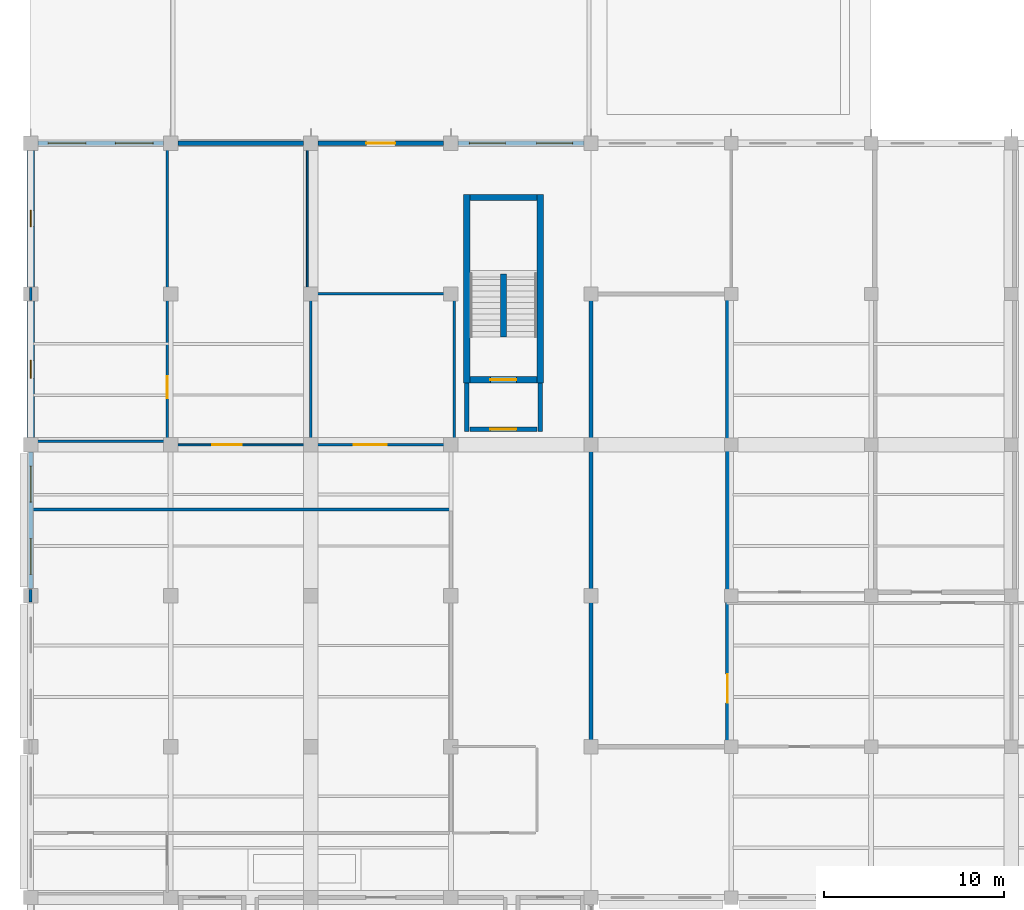
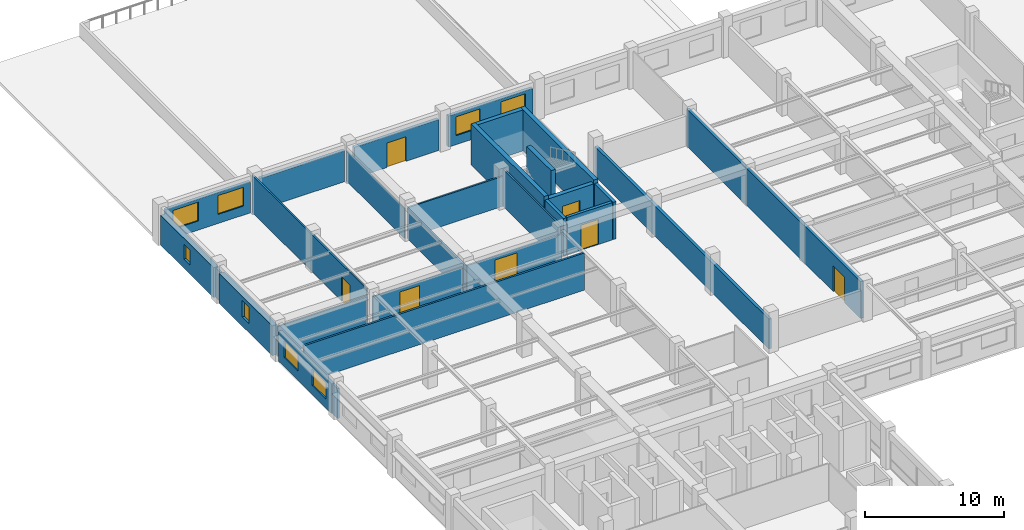
# One storey, part 43 of 50: 28 walls, 8 windows, 7 doors, 15 openings.
"""IFC4 building model written with IfcOpenShell, lengths in metres."""

from ifc_helpers import new_model, si_unit, direction, frame, frame_2d, origin, place, context, subcontext, project, spatial, rectangle, extrude, material, layer, layer_set, type_object, element, fill, save


model = new_model("IFC4")

# Units and contexts
model_context = context("Model", 3, precision=1e-05, world=origin(), true_north=direction((0.0, 1.0)))
body_context = subcontext(model_context, "Body", "Model", "MODEL_VIEW")
ifc_project = project(units=[si_unit("LENGTHUNIT", "METRE"), si_unit("AREAUNIT", "SQUARE_METRE"), si_unit("VOLUMEUNIT", "CUBIC_METRE"), si_unit("PLANEANGLEUNIT", "RADIAN"), si_unit("MASSUNIT", "GRAM", prefix="KILO"), si_unit("THERMODYNAMICTEMPERATUREUNIT", "KELVIN"), si_unit("POWERUNIT", "WATT")], contexts=[model_context])

# Site, building, storey
site_placement = place(None, origin())
site = spatial("IfcSite", under=ifc_project, at=site_placement, CompositionType="ELEMENT")
building_placement = place(site_placement, origin())
building = spatial("IfcBuilding", under=site, at=building_placement, Name="Srebrne Nadtorze General Hospital", CompositionType="ELEMENT")
storey_placement = place(building_placement, frame((0.0, 0.0, 14.39990234375)))
storey = spatial("IfcBuildingStorey", under=building, at=storey_placement, Name="L03", CompositionType="ELEMENT", Elevation=14.39990234375)

# Wall, opening, window
ifc_material_1 = material(Name="Concrete C40/50", Category="concrete")
ifc_layer_1 = layer(ifc_material_1, 0.419921875)
ifc_layer_set_1 = layer_set([ifc_layer_1], Name="Concrete C40/50")
wall_type_1 = type_object("IfcWallType", Name="Acoustic buffer wall 420", PredefinedType="SOLIDWALL", material=ifc_layer_set_1)
wall_1_placement = place(storey_placement, frame((23.39990234375, 76.0, 0.0), z_axis=(0.0, 0.0, 1.0), x_axis=(0.0, 1.0, 0.0)))
wall_1 = element("IfcWall", 1, at=wall_1_placement, inside=storey, type_object=wall_type_1, Name="Exterior wall WL-ENV-L03-0323", PredefinedType="SOLIDWALL", context=body_context, shape_type="SweptSolid", body=[
    extrude(rectangle(XDim=7.60009765625, YDim=0.419921875, at=frame_2d((3.800048828125, 0.0))), origin(), (0.0, 0.0, 1.0), 2.6201171875),
])
opening_1_placement = place(wall_1_placement, frame((3.300048828125, 0.0, 0.800048828125)))
opening_1 = element("IfcOpeningElement", 2, at=opening_1_placement, cuts=wall_1, Name="Opening WN-L03-0463", PredefinedType="OPENING", context=body_context, shape_type="SweptSolid", body=[
    extrude(rectangle(XDim=1.0, YDim=1.449951171875, at=frame_2d((0.5, 0.72509765625))), frame((0.0, 0.221923828125, 0.0), z_axis=(0.0, -1.0, 0.0), x_axis=(1.0, 0.0, 0.0)), (0.0, 0.0, 1.0), 0.44384765625),
])
ifc_material_2 = material(Name="Triple Low-E Glazing", Category="glass")
window_type_1 = type_object("IfcWindowType", Name="Punched clinical window 1000x1450", PartitioningType="SINGLE_PANEL", PredefinedType="WINDOW", material=ifc_material_2)
window_1_placement = place(opening_1_placement, origin())
window_1 = element("IfcWindow", 3, at=window_1_placement, inside=storey, type_object=window_type_1, Name="Clinical window WN-L03-0463", OverallHeight=1.449951171875, OverallWidth=1.0, PartitioningType="SINGLE_PANEL", PredefinedType="WINDOW", context=body_context, shape_type="SweptSolid", body=[
    extrude(rectangle(XDim=1.0, YDim=1.449951171875, at=frame_2d((0.5, 0.72509765625))), frame((0.0, 0.030029296875, 0.0), z_axis=(0.0, -1.0, 0.0), x_axis=(1.0, 0.0, 0.0)), (0.0, 0.0, 1.0), 0.06005859375),
])
fill(opening_1, window_1)

wall_2_placement = place(storey_placement, frame((23.39990234375, 84.39990234375, 0.0), z_axis=(0.0, 0.0, 1.0), x_axis=(0.0, 1.0, 0.0)))
wall_2 = element("IfcWall", 4, at=wall_2_placement, inside=storey, type_object=wall_type_1, Name="Exterior wall WL-ENV-L03-0324", PredefinedType="SOLIDWALL", context=body_context, shape_type="SweptSolid", body=[
    extrude(rectangle(XDim=7.60009765625, YDim=0.419921875, at=frame_2d((3.800048828125, 0.0))), origin(), (0.0, 0.0, 1.0), 2.6201171875),
])
opening_2_placement = place(wall_2_placement, frame((3.35009765625, 0.0, 0.800048828125)))
opening_2 = element("IfcOpeningElement", 5, at=opening_2_placement, cuts=wall_2, Name="Opening WN-L03-0464", PredefinedType="OPENING", context=body_context, shape_type="SweptSolid", body=[
    extrude(rectangle(XDim=0.89990234375, YDim=1.300048828125, at=frame_2d((0.449951171875, 0.64990234375))), frame((0.0, 0.221923828125, 0.0), z_axis=(0.0, -1.0, 0.0), x_axis=(1.0, 0.0, 0.0)), (0.0, 0.0, 1.0), 0.44384765625),
])
ifc_material_3 = material(Name="Triple Low-E Glazing", Category="glass")
window_type_2 = type_object("IfcWindowType", Name="Punched clinical window 900x1300", PartitioningType="SINGLE_PANEL", PredefinedType="WINDOW", material=ifc_material_3)
window_2_placement = place(opening_2_placement, origin())
window_2 = element("IfcWindow", 6, at=window_2_placement, inside=storey, type_object=window_type_2, Name="Clinical window WN-L03-0464", OverallHeight=1.300048828125, OverallWidth=0.89990234375, PartitioningType="SINGLE_PANEL", PredefinedType="WINDOW", context=body_context, shape_type="SweptSolid", body=[
    extrude(rectangle(XDim=0.89990234375, YDim=1.300048828125, at=frame_2d((0.449951171875, 0.64990234375))), frame((0.0, 0.030029296875, 0.0), z_axis=(0.0, -1.0, 0.0), x_axis=(1.0, 0.0, 0.0)), (0.0, 0.0, 1.0), 0.06005859375),
])
fill(opening_2, window_2)

# Wall, opening, door
ifc_material_4 = material(Name="Gypsum Healthcare Partition")
ifc_layer_2 = layer(ifc_material_4, 0.139892578125)
ifc_layer_set_2 = layer_set([ifc_layer_2], Name="Gypsum Healthcare Partition")
wall_type_2 = type_object("IfcWallType", Name="Clinical partition 140", PredefinedType="PARTITIONING", material=ifc_layer_set_2)
wall_3_placement = place(storey_placement, frame((39.0849609375, 75.60009765625, 0.0), z_axis=(0.0, 0.0, 1.0), x_axis=(1.0, 0.0, 0.0)))
wall_3 = element("IfcWall", 7, at=wall_3_placement, inside=storey, type_object=wall_type_2, Name="Clinical Staff Lounge wall WL-INT-L03-1604", PredefinedType="PARTITIONING", context=body_context, shape_type="SweptSolid", body=[
    extrude(rectangle(XDim=7.804931640625, YDim=0.139892578125, at=frame_2d((3.90234375, 0.0))), origin(), (0.0, 0.0, 1.0), 2.6201171875),
])
opening_3_placement = place(wall_3_placement, frame((2.295654296875, 0.0, 0.0)))
opening_3 = element("IfcOpeningElement", 8, at=opening_3_placement, cuts=wall_3, Name="Opening D-L03-0265", PredefinedType="OPENING", context=body_context, shape_type="SweptSolid", body=[
    extrude(rectangle(XDim=1.85009765625, YDim=2.300048828125, at=frame_2d((0.925048828125, 1.14990234375))), frame((0.0, 0.08203125, 0.0), z_axis=(0.0, -1.0, 0.0), x_axis=(1.0, 0.0, 0.0)), (0.0, 0.0, 1.0), 0.163818359375),
])
ifc_material_5 = material(Name="Anodised Aluminium", Category="aluminium")
door_type_1 = type_object("IfcDoorType", Name="Double leaf door 1850x2300", OperationType="DOUBLE_DOOR_SINGLE_SWING", PredefinedType="DOOR", material=ifc_material_5)
door_1_placement = place(opening_3_placement, origin())
door_1 = element("IfcDoor", 9, at=door_1_placement, inside=storey, type_object=door_type_1, Name="Clinical Staff Lounge door D-L03-0265", OperationType="DOUBLE_DOOR_SINGLE_SWING", OverallHeight=2.300048828125, OverallWidth=1.85009765625, PredefinedType="DOOR", context=body_context, shape_type="SweptSolid", body=[
    extrude(rectangle(XDim=1.85009765625, YDim=2.300048828125, at=frame_2d((0.925048828125, 1.14990234375))), frame((0.0, 0.02490234375, 0.0), z_axis=(0.0, -1.0, 0.0), x_axis=(1.0, 0.0, 0.0)), (0.0, 0.0, 1.0), 0.050048828125),
])
fill(opening_3, door_1)

# Walls
wall_4_placement = place(storey_placement, frame((39.0849609375, 84.0, 0.0), z_axis=(0.0, 0.0, 1.0), x_axis=(1.0, 0.0, 0.0)))
element("IfcWall", 10, at=wall_4_placement, inside=storey, type_object=wall_type_2, Name="Clinical Staff Lounge wall WL-INT-L03-1605", PredefinedType="PARTITIONING", context=body_context, shape_type="SweptSolid", body=[
    extrude(rectangle(XDim=7.804931640625, YDim=0.139892578125, at=frame_2d((3.90234375, 0.0))), origin(), (0.0, 0.0, 1.0), 2.6201171875),
])
wall_5_placement = place(storey_placement, frame((39.0, 75.68505859375, 0.0), z_axis=(0.0, 0.0, 1.0), x_axis=(0.0, 1.0, 0.0)))
element("IfcWall", 11, at=wall_5_placement, inside=storey, type_object=wall_type_2, Name="Clinical Staff Lounge wall WL-INT-L03-1606", PredefinedType="PARTITIONING", context=body_context, shape_type="SweptSolid", body=[
    extrude(rectangle(XDim=8.22998046875, YDim=0.139892578125, at=frame_2d((4.114990234375, 0.0))), origin(), (0.0, 0.0, 1.0), 2.6201171875),
])
wall_6_placement = place(storey_placement, frame((46.97509765625, 75.68505859375, 0.0), z_axis=(0.0, 0.0, 1.0), x_axis=(0.0, 1.0, 0.0)))
element("IfcWall", 12, at=wall_6_placement, inside=storey, type_object=wall_type_2, Name="Clinical Staff Lounge wall WL-INT-L03-1607", PredefinedType="PARTITIONING", context=body_context, shape_type="SweptSolid", body=[
    extrude(rectangle(XDim=8.22998046875, YDim=0.139892578125, at=frame_2d((4.114990234375, 0.0))), origin(), (0.0, 0.0, 1.0), 3.25),
])

# Wall, opening, door
wall_7_placement = place(storey_placement, frame((31.0, 75.885009765625, 0.0), z_axis=(0.0, 0.0, 1.0), x_axis=(0.0, 1.0, 0.0)))
wall_7 = element("IfcWall", 13, at=wall_7_placement, inside=storey, type_object=wall_type_2, Name="Clinical Virology and Serology Lab wall WL-INT-L03-1635", PredefinedType="PARTITIONING", context=body_context, shape_type="SweptSolid", body=[
    extrude(rectangle(XDim=16.429931640625, YDim=0.139892578125, at=frame_2d((8.21484375, 0.0))), origin(), (0.0, 0.0, 1.0), 3.25),
])
opening_4_placement = place(wall_7_placement, frame((2.302490234375, 0.0, 0.0)))
opening_4 = element("IfcOpeningElement", 14, at=opening_4_placement, cuts=wall_7, Name="Opening D-L03-0274", PredefinedType="OPENING", context=body_context, shape_type="SweptSolid", body=[
    extrude(rectangle(XDim=1.219970703125, YDim=2.14990234375, at=frame_2d((0.60986328125, 1.074951171875))), frame((0.0, 0.08203125, 0.0), z_axis=(0.0, -1.0, 0.0), x_axis=(1.0, 0.0, 0.0)), (0.0, 0.0, 1.0), 0.163818359375),
])
ifc_material_6 = material(Name="Anodised Aluminium", Category="aluminium")
door_type_2 = type_object("IfcDoorType", Name="Single leaf door 1220x2150", OperationType="NOTDEFINED", PredefinedType="DOOR", material=ifc_material_6)
door_2_placement = place(opening_4_placement, origin())
door_2 = element("IfcDoor", 15, at=door_2_placement, inside=storey, type_object=door_type_2, Name="Clinical Virology and Serology Lab door D-L03-0274", OperationType="SINGLE_SWING_RIGHT", OverallHeight=2.14990234375, OverallWidth=1.219970703125, PredefinedType="DOOR", context=body_context, shape_type="SweptSolid", body=[
    extrude(rectangle(XDim=1.219970703125, YDim=2.14990234375, at=frame_2d((0.60986328125, 1.074951171875))), frame((0.0, 0.02490234375, 0.0), z_axis=(0.0, -1.0, 0.0), x_axis=(1.0, 0.0, 0.0)), (0.0, 0.0, 1.0), 0.050048828125),
])
fill(opening_4, door_2)

# Walls
wall_8_placement = place(storey_placement, frame((23.485107421875, 75.800048828125, 0.0), z_axis=(0.0, 0.0, 1.0), x_axis=(1.0, 0.0, 0.0)))
element("IfcWall", 16, at=wall_8_placement, inside=storey, type_object=wall_type_2, Name="Clinical Virology and Serology Lab wall WL-INT-L03-1636", PredefinedType="PARTITIONING", context=body_context, shape_type="SweptSolid", body=[
    extrude(rectangle(XDim=7.429931640625, YDim=0.139892578125, at=frame_2d((3.71484375, 0.0))), origin(), (0.0, 0.0, 1.0), 2.6201171875),
])
wall_9_placement = place(storey_placement, frame((23.39990234375, 83.639892578125, 0.0), z_axis=(0.0, 0.0, 1.0), x_axis=(0.0, 1.0, 0.0)))
element("IfcWall", 17, at=wall_9_placement, inside=storey, type_object=wall_type_2, Name="Clinical Virology and Serology Lab wall WL-INT-L03-1637", PredefinedType="PARTITIONING", context=body_context, shape_type="SweptSolid", body=[
    extrude(rectangle(XDim=0.72021484375, YDim=0.139892578125, at=frame_2d((0.360107421875, 0.0))), origin(), (0.0, 0.0, 1.0), 2.6201171875),
])
ifc_material_7 = material(Name="Gypsum Healthcare Partition")
ifc_layer_3 = layer(ifc_material_7, 0.159912109375)
ifc_layer_set_3 = layer_set([ifc_layer_3], Name="Gypsum Healthcare Partition")
wall_type_3 = type_object("IfcWallType", Name="Clinical partition 160", PredefinedType="PARTITIONING", material=ifc_layer_set_3)
wall_10_placement = place(storey_placement, frame((23.485107421875, 72.0, 0.0), z_axis=(0.0, 0.0, 1.0), x_axis=(1.0, 0.0, 0.0)))
element("IfcWall", 18, at=wall_10_placement, inside=storey, type_object=wall_type_3, Name="Clinical Biochemistry Laboratory wall WL-INT-L03-1600", PredefinedType="PARTITIONING", context=body_context, shape_type="SweptSolid", body=[
    extrude(rectangle(XDim=23.22998046875, YDim=0.159912109375, at=frame_2d((11.614990234375, 0.0))), origin(), (0.0, 0.0, 1.0), 3.25),
])
wall_11_placement = place(storey_placement, frame((23.39990234375, 66.840087890625, 0.0), z_axis=(0.0, 0.0, 1.0), x_axis=(0.0, 1.0, 0.0)))
element("IfcWall", 19, at=wall_11_placement, inside=storey, type_object=wall_type_3, Name="Clinical Biochemistry Laboratory wall WL-INT-L03-1602", PredefinedType="PARTITIONING", context=body_context, shape_type="SweptSolid", body=[
    extrude(rectangle(XDim=0.719970703125, YDim=0.159912109375, at=frame_2d((0.35986328125, 0.0))), origin(), (0.0, 0.0, 1.0), 2.6201171875),
])
ifc_material_8 = material(Name="Gypsum Healthcare Partition")
ifc_layer_4 = layer(ifc_material_8, 0.239990234375)
ifc_layer_set_4 = layer_set([ifc_layer_4], Name="Gypsum Healthcare Partition")
wall_type_4 = type_object("IfcWallType", Name="Corridor fire wall 240", PredefinedType="STANDARD", material=ifc_layer_set_4)
for number, where, z_axis, x_axis, name in (
    (20, (47.675048828125, 76.35498046875, 0.0), (0.0, 0.0, 1.0), (0.0, 1.0, 0.0), "Fire lobby wall ST-02 WL-INT-L03-0253"),
    (21, (51.77490234375, 76.35498046875, 0.0), (0.0, 0.0, 1.0), (0.0, 1.0, 0.0), "Fire lobby wall ST-02 WL-INT-L03-0254"),
):
    element("IfcWall", number, at=place(storey_placement, frame(where, z_axis=z_axis, x_axis=x_axis)), inside=storey, type_object=wall_type_4, Name=name, PredefinedType="STANDARD", context=body_context, shape_type="SweptSolid", body=[
        extrude(rectangle(XDim=2.695068359375, YDim=0.239990234375, at=frame_2d((1.34765625, 0.0))), origin(), (0.0, 0.0, 1.0), 3.27001953125),
    ])

# Wall, opening, door
wall_12_placement = place(storey_placement, frame((47.85009765625, 76.47509765625, 0.0), z_axis=(0.0, 0.0, 1.0), x_axis=(1.0, 0.0, 0.0)))
wall_12 = element("IfcWall", 22, at=wall_12_placement, inside=storey, type_object=wall_type_4, Name="Fire lobby entry wall ST-02 WL-INT-L03-0255", PredefinedType="STANDARD", context=body_context, shape_type="SweptSolid", body=[
    extrude(rectangle(XDim=3.75, YDim=0.239990234375, at=frame_2d((1.875, 0.0))), origin(), (0.0, 0.0, 1.0), 3.27001953125),
])
opening_5_placement = place(wall_12_placement, frame((1.14990234375, 0.0, 0.0)))
opening_5 = element("IfcOpeningElement", 23, at=opening_5_placement, cuts=wall_12, Name="Opening D-L03-0064", PredefinedType="OPENING", context=body_context, shape_type="SweptSolid", body=[
    extrude(rectangle(XDim=1.449951171875, YDim=2.199951171875, at=frame_2d((0.72509765625, 1.10009765625))), frame((0.0, 0.1318359375, 0.0), z_axis=(0.0, -1.0, 0.0), x_axis=(1.0, 0.0, 0.0)), (0.0, 0.0, 1.0), 0.263916015625),
])
ifc_material_9 = material(Name="Anodised Aluminium", Category="aluminium")
door_type_3 = type_object("IfcDoorType", Name="Double leaf door 1450x2200", OperationType="DOUBLE_DOOR_SINGLE_SWING", PredefinedType="DOOR", material=ifc_material_9)
door_3_placement = place(opening_5_placement, origin())
door_3 = element("IfcDoor", 24, at=door_3_placement, inside=storey, type_object=door_type_3, Name="Fire lobby door ST-02 D-L03-0064", OperationType="DOUBLE_DOOR_SINGLE_SWING", OverallHeight=2.199951171875, OverallWidth=1.449951171875, PredefinedType="DOOR", context=body_context, shape_type="SweptSolid", body=[
    extrude(rectangle(XDim=1.449951171875, YDim=2.199951171875, at=frame_2d((0.72509765625, 1.10009765625))), frame((0.0, 0.02490234375, 0.0), z_axis=(0.0, -1.0, 0.0), x_axis=(1.0, 0.0, 0.0)), (0.0, 0.0, 1.0), 0.050048828125),
])
fill(opening_5, door_3)

wall_13_placement = place(storey_placement, frame((62.199951171875, 58.909912109375, 0.0), z_axis=(0.0, 0.0, 1.0), x_axis=(0.0, 1.0, 0.0)))
wall_13 = element("IfcWall", 25, at=wall_13_placement, inside=storey, type_object=wall_type_4, Name="Sterile Autoclave Preparation Suite wall WL-INT-L03-1595", PredefinedType="STANDARD", context=body_context, shape_type="SweptSolid", body=[
    extrude(rectangle(XDim=24.97998046875, YDim=0.239990234375, at=frame_2d((12.489990234375, 0.0))), origin(), (0.0, 0.0, 1.0), 3.25),
])
opening_6_placement = place(wall_13_placement, frame((2.330078125, 0.0, 0.0)))
opening_6 = element("IfcOpeningElement", 26, at=opening_6_placement, cuts=wall_13, Name="Opening D-L03-0263", PredefinedType="OPENING", context=body_context, shape_type="SweptSolid", body=[
    extrude(rectangle(XDim=1.60009765625, YDim=2.25, at=frame_2d((0.800048828125, 1.125))), frame((0.0, 0.1318359375, 0.0), z_axis=(0.0, -1.0, 0.0), x_axis=(1.0, 0.0, 0.0)), (0.0, 0.0, 1.0), 0.263916015625),
])
ifc_material_10 = material(Name="Anodised Aluminium", Category="aluminium")
door_type_4 = type_object("IfcDoorType", Name="Double leaf door 1600x2250", OperationType="DOUBLE_DOOR_SINGLE_SWING", PredefinedType="DOOR", material=ifc_material_10)
door_4_placement = place(opening_6_placement, origin())
door_4 = element("IfcDoor", 27, at=door_4_placement, inside=storey, type_object=door_type_4, Name="Sterile Autoclave Preparation Suite door D-L03-0263", OperationType="DOUBLE_DOOR_SINGLE_SWING", OverallHeight=2.25, OverallWidth=1.60009765625, PredefinedType="DOOR", context=body_context, shape_type="SweptSolid", body=[
    extrude(rectangle(XDim=1.60009765625, YDim=2.25, at=frame_2d((0.800048828125, 1.125))), frame((0.0, 0.02490234375, 0.0), z_axis=(0.0, -1.0, 0.0), x_axis=(1.0, 0.0, 0.0)), (0.0, 0.0, 1.0), 0.050048828125),
])
fill(opening_6, door_4)

# Wall
wall_14_placement = place(storey_placement, frame((54.60009765625, 58.909912109375, 0.0), z_axis=(0.0, 0.0, 1.0), x_axis=(0.0, 1.0, 0.0)))
element("IfcWall", 28, at=wall_14_placement, inside=storey, type_object=wall_type_4, Name="Sterile Autoclave Preparation Suite wall WL-INT-L03-1598", PredefinedType="STANDARD", context=body_context, shape_type="SweptSolid", body=[
    extrude(rectangle(XDim=24.97998046875, YDim=0.239990234375, at=frame_2d((12.489990234375, 0.0))), origin(), (0.0, 0.0, 1.0), 2.6201171875),
])

# Wall, opening, door
ifc_material_11 = material(Name="Gypsum Healthcare Partition")
ifc_layer_5 = layer(ifc_material_11, 0.10009765625)
ifc_layer_set_5 = layer_set([ifc_layer_5], Name="Gypsum Healthcare Partition")
wall_type_5 = type_object("IfcWallType", Name="Shaft lining wall 100", PredefinedType="PARTITIONING", material=ifc_layer_set_5)
wall_15_placement = place(storey_placement, frame((31.284912109375, 75.60009765625, 0.0), z_axis=(0.0, 0.0, 1.0), x_axis=(1.0, 0.0, 0.0)))
wall_15 = element("IfcWall", 29, at=wall_15_placement, inside=storey, type_object=wall_type_5, Name="Haematology and Coagulation Laboratory wall WL-INT-L03-1638", PredefinedType="PARTITIONING", context=body_context, shape_type="SweptSolid", body=[
    extrude(rectangle(XDim=7.43017578125, YDim=0.10009765625, at=frame_2d((3.715087890625, 0.0))), origin(), (0.0, 0.0, 1.0), 2.6201171875),
])
opening_7_placement = place(wall_15_placement, frame((2.22998046875, 0.0, 0.0)))
opening_7 = element("IfcOpeningElement", 30, at=opening_7_placement, cuts=wall_15, Name="Opening D-L03-0275", PredefinedType="OPENING", context=body_context, shape_type="SweptSolid", body=[
    extrude(rectangle(XDim=1.64990234375, YDim=2.25, at=frame_2d((0.824951171875, 1.125))), frame((0.0, 0.06201171875, 0.0), z_axis=(0.0, -1.0, 0.0), x_axis=(1.0, 0.0, 0.0)), (0.0, 0.0, 1.0), 0.1240234375),
])
ifc_material_12 = material(Name="Anodised Aluminium", Category="aluminium")
door_type_5 = type_object("IfcDoorType", Name="Double leaf door 1650x2250", OperationType="DOUBLE_DOOR_SINGLE_SWING", PredefinedType="DOOR", material=ifc_material_12)
door_5_placement = place(opening_7_placement, origin())
door_5 = element("IfcDoor", 31, at=door_5_placement, inside=storey, type_object=door_type_5, Name="Haematology and Coagulation Laboratory door D-L03-0275", OperationType="DOUBLE_DOOR_SINGLE_SWING", OverallHeight=2.25, OverallWidth=1.64990234375, PredefinedType="DOOR", context=body_context, shape_type="SweptSolid", body=[
    extrude(rectangle(XDim=1.64990234375, YDim=2.25, at=frame_2d((0.824951171875, 1.125))), frame((0.0, 0.02490234375, 0.0), z_axis=(0.0, -1.0, 0.0), x_axis=(1.0, 0.0, 0.0)), (0.0, 0.0, 1.0), 0.050048828125),
])
fill(opening_7, door_5)

# Walls
wall_16_placement = place(storey_placement, frame((38.800048828125, 83.955078125, 0.0), z_axis=(0.0, 0.0, 1.0), x_axis=(0.0, 1.0, 0.0)))
element("IfcWall", 32, at=wall_16_placement, inside=storey, type_object=wall_type_5, Name="Haematology and Coagulation Laboratory wall WL-INT-L03-1639", PredefinedType="PARTITIONING", context=body_context, shape_type="SweptSolid", body=[
    extrude(rectangle(XDim=8.35986328125, YDim=0.10009765625, at=frame_2d((4.179931640625, 0.0))), origin(), (0.0, 0.0, 1.0), 2.6201171875),
])
ifc_material_13 = material(Name="Concrete C40/50", Category="concrete")
ifc_layer_6 = layer(ifc_material_13, 0.35009765625)
ifc_layer_set_6 = layer_set([ifc_layer_6], Name="Concrete C40/50")
wall_type_6 = type_object("IfcWallType", Name="Shear core wall 350", PredefinedType="SHEAR", material=ifc_layer_set_6)
for number, where, z_axis, x_axis, name in (
    (33, (47.675048828125, 79.050048828125, 0.0), (0.0, 0.0, 1.0), (0.0, 1.0, 0.0), "Stair core wall ST-02 WL-INT-L03-0249"),
    (34, (51.77490234375, 79.050048828125, 0.0), (0.0, 0.0, 1.0), (0.0, 1.0, 0.0), "Stair core wall ST-02 WL-INT-L03-0250"),
):
    element("IfcWall", number, at=place(storey_placement, frame(where, z_axis=z_axis, x_axis=x_axis)), inside=storey, type_object=wall_type_6, Name=name, PredefinedType="SHEAR", context=body_context, shape_type="SweptSolid", body=[
        extrude(rectangle(XDim=10.5, YDim=0.35009765625, at=frame_2d((5.25, 0.0))), origin(), (0.0, 0.0, 1.0), 3.60009765625),
    ])
wall_17_placement = place(storey_placement, frame((47.85009765625, 89.375, 0.0), z_axis=(0.0, 0.0, 1.0), x_axis=(1.0, 0.0, 0.0)))
element("IfcWall", 35, at=wall_17_placement, inside=storey, type_object=wall_type_6, Name="Stair core wall ST-02 WL-INT-L03-0251", PredefinedType="SHEAR", context=body_context, shape_type="SweptSolid", body=[
    extrude(rectangle(XDim=3.75, YDim=0.35009765625, at=frame_2d((1.875, 0.0))), origin(), (0.0, 0.0, 1.0), 3.60009765625),
])

# Wall, opening, door
wall_18_placement = place(storey_placement, frame((47.85009765625, 79.22509765625, 0.0), z_axis=(0.0, 0.0, 1.0), x_axis=(1.0, 0.0, 0.0)))
wall_18 = element("IfcWall", 36, at=wall_18_placement, inside=storey, type_object=wall_type_6, Name="Stairwell fire wall ST-02 WL-INT-L03-0252", PredefinedType="SHEAR", context=body_context, shape_type="SweptSolid", body=[
    extrude(rectangle(XDim=3.75, YDim=0.35009765625, at=frame_2d((1.875, 0.0))), origin(), (0.0, 0.0, 1.0), 3.27001953125),
])
opening_8_placement = place(wall_18_placement, frame((1.14990234375, 0.0, 0.0)))
opening_8 = element("IfcOpeningElement", 37, at=opening_8_placement, cuts=wall_18, Name="Opening D-L03-0063", PredefinedType="OPENING", context=body_context, shape_type="SweptSolid", body=[
    extrude(rectangle(XDim=1.449951171875, YDim=2.199951171875, at=frame_2d((0.72509765625, 1.10009765625))), frame((0.0, 0.18701171875, 0.0), z_axis=(0.0, -1.0, 0.0), x_axis=(1.0, 0.0, 0.0)), (0.0, 0.0, 1.0), 0.3740234375),
])
door_6_placement = place(opening_8_placement, origin())
door_6 = element("IfcDoor", 38, at=door_6_placement, inside=storey, type_object=door_type_3, Name="Protected stair door ST-02 D-L03-0063", OperationType="DOUBLE_DOOR_SINGLE_SWING", OverallHeight=2.199951171875, OverallWidth=1.449951171875, PredefinedType="DOOR", context=body_context, shape_type="SweptSolid", body=[
    extrude(rectangle(XDim=1.449951171875, YDim=2.199951171875, at=frame_2d((0.72509765625, 1.10009765625))), frame((0.0, 0.02490234375, 0.0), z_axis=(0.0, -1.0, 0.0), x_axis=(1.0, 0.0, 0.0)), (0.0, 0.0, 1.0), 0.050048828125),
])
fill(opening_8, door_6)

# Wall
wall_19_placement = place(storey_placement, frame((49.72509765625, 81.60009765625, 0.0), z_axis=(0.0, 0.0, 1.0), x_axis=(0.0, 1.0, 0.0)))
element("IfcWall", 39, at=wall_19_placement, inside=storey, type_object=wall_type_6, Name="Stair spine wall ST-02 WL-INT-L03-0256", PredefinedType="SHEAR", context=body_context, shape_type="SweptSolid", body=[
    extrude(rectangle(XDim=3.52001953125, YDim=0.35009765625, at=frame_2d((1.760009765625, 0.0))), origin(), (0.0, 0.0, 1.0), 3.60009765625),
])

# Wall, openings, windows
ifc_material_14 = material(Name="Concrete C35/45 precast", Category="concrete")
ifc_layer_7 = layer(ifc_material_14, 0.260009765625)
ifc_layer_set_7 = layer_set([ifc_layer_7], Name="Concrete C35/45 precast")
wall_type_7 = type_object("IfcWallType", Name="Spandrel wall 260", PredefinedType="STANDARD", material=ifc_layer_set_7)
wall_20_placement = place(storey_placement, frame((23.800048828125, 92.39990234375, 0.0), z_axis=(0.0, 0.0, 1.0), x_axis=(1.0, 0.0, 0.0)))
wall_20 = element("IfcWall", 40, at=wall_20_placement, inside=storey, type_object=wall_type_7, Name="Exterior wall WL-ENV-L03-0298", PredefinedType="STANDARD", context=body_context, shape_type="SweptSolid", body=[
    extrude(rectangle(XDim=7.0, YDim=0.260009765625, at=frame_2d((3.5, 0.0))), origin(), (0.0, 0.0, 1.0), 2.72021484375),
])
opening_9_placement = place(wall_20_placement, frame((0.577880859375, 0.0, 0.800048828125)))
opening_9 = element("IfcOpeningElement", 41, at=opening_9_placement, cuts=wall_20, Name="Opening WN-L03-0423", PredefinedType="OPENING", context=body_context, shape_type="SweptSolid", body=[
    extrude(rectangle(XDim=2.10009765625, YDim=1.64990234375, at=frame_2d((1.050048828125, 0.824951171875))), frame((0.0, 0.14208984375, 0.0), z_axis=(0.0, -1.0, 0.0), x_axis=(1.0, 0.0, 0.0)), (0.0, 0.0, 1.0), 0.283935546875),
])
opening_10_placement = place(wall_20_placement, frame((4.322021484375, 0.0, 0.800048828125)))
opening_10 = element("IfcOpeningElement", 42, at=opening_10_placement, cuts=wall_20, Name="Opening WN-L03-0424", PredefinedType="OPENING", context=body_context, shape_type="SweptSolid", body=[
    extrude(rectangle(XDim=2.10009765625, YDim=1.64990234375, at=frame_2d((1.050048828125, 0.824951171875))), frame((0.0, 0.14208984375, 0.0), z_axis=(0.0, -1.0, 0.0), x_axis=(1.0, 0.0, 0.0)), (0.0, 0.0, 1.0), 0.283935546875),
])
ifc_material_15 = material(Name="Triple Low-E Glazing", Category="glass")
window_type_3 = type_object("IfcWindowType", Name="Punched clinical window 2100x1650", PartitioningType="DOUBLE_PANEL_VERTICAL", PredefinedType="WINDOW", material=ifc_material_15)
window_3_placement = place(opening_9_placement, origin())
window_3 = element("IfcWindow", 43, at=window_3_placement, inside=storey, type_object=window_type_3, Name="Clinical window WN-L03-0423", OverallHeight=1.64990234375, OverallWidth=2.10009765625, PartitioningType="DOUBLE_PANEL_VERTICAL", PredefinedType="WINDOW", context=body_context, shape_type="SweptSolid", body=[
    extrude(rectangle(XDim=2.10009765625, YDim=1.64990234375, at=frame_2d((1.050048828125, 0.824951171875))), frame((0.0, 0.030029296875, 0.0), z_axis=(0.0, -1.0, 0.0), x_axis=(1.0, 0.0, 0.0)), (0.0, 0.0, 1.0), 0.06005859375),
])
fill(opening_9, window_3)
window_4_placement = place(opening_10_placement, origin())
window_4 = element("IfcWindow", 44, at=window_4_placement, inside=storey, type_object=window_type_3, Name="Clinical window WN-L03-0424", OverallHeight=1.64990234375, OverallWidth=2.10009765625, PartitioningType="DOUBLE_PANEL_VERTICAL", PredefinedType="WINDOW", context=body_context, shape_type="SweptSolid", body=[
    extrude(rectangle(XDim=2.10009765625, YDim=1.64990234375, at=frame_2d((1.050048828125, 0.824951171875))), frame((0.0, 0.030029296875, 0.0), z_axis=(0.0, -1.0, 0.0), x_axis=(1.0, 0.0, 0.0)), (0.0, 0.0, 1.0), 0.06005859375),
])
fill(opening_10, window_4)

# Wall
wall_21_placement = place(storey_placement, frame((31.60009765625, 92.39990234375, 0.0), z_axis=(0.0, 0.0, 1.0), x_axis=(1.0, 0.0, 0.0)))
element("IfcWall", 45, at=wall_21_placement, inside=storey, type_object=wall_type_7, Name="Exterior wall WL-ENV-L03-0299", PredefinedType="STANDARD", context=body_context, shape_type="SweptSolid", body=[
    extrude(rectangle(XDim=7.0, YDim=0.260009765625, at=frame_2d((3.5, 0.0))), origin(), (0.0, 0.0, 1.0), 2.72021484375),
])

# Wall, opening, door
wall_22_placement = place(storey_placement, frame((39.39990234375, 92.39990234375, 0.0), z_axis=(0.0, 0.0, 1.0), x_axis=(1.0, 0.0, 0.0)))
wall_22 = element("IfcWall", 46, at=wall_22_placement, inside=storey, type_object=wall_type_7, Name="Exterior wall WL-ENV-L03-0300", PredefinedType="STANDARD", context=body_context, shape_type="SweptSolid", body=[
    extrude(rectangle(XDim=7.0, YDim=0.260009765625, at=frame_2d((3.5, 0.0))), origin(), (0.0, 0.0, 1.0), 2.72021484375),
])
opening_11_placement = place(wall_22_placement, frame((2.699951171875, 0.0, 0.0)))
opening_11 = element("IfcOpeningElement", 47, at=opening_11_placement, cuts=wall_22, Name="Opening D-L03-E018", PredefinedType="OPENING", context=body_context, shape_type="SweptSolid", body=[
    extrude(rectangle(XDim=1.60009765625, YDim=2.14990234375, at=frame_2d((0.800048828125, 1.074951171875))), frame((0.0, 0.14208984375, 0.0), z_axis=(0.0, -1.0, 0.0), x_axis=(1.0, 0.0, 0.0)), (0.0, 0.0, 1.0), 0.283935546875),
])
ifc_material_16 = material(Name="Anodised Aluminium", Category="aluminium")
door_type_6 = type_object("IfcDoorType", Name="Double leaf door 1600x2150", OperationType="DOUBLE_DOOR_SINGLE_SWING", PredefinedType="DOOR", material=ifc_material_16)
door_7_placement = place(opening_11_placement, origin())
door_7 = element("IfcDoor", 48, at=door_7_placement, inside=storey, type_object=door_type_6, Name="Exterior door D-L03-E018", OperationType="DOUBLE_DOOR_SINGLE_SWING", OverallHeight=2.14990234375, OverallWidth=1.60009765625, PredefinedType="DOOR", context=body_context, shape_type="SweptSolid", body=[
    extrude(rectangle(XDim=1.60009765625, YDim=2.14990234375, at=frame_2d((0.800048828125, 1.074951171875))), frame((0.0, 0.02490234375, 0.0), z_axis=(0.0, -1.0, 0.0), x_axis=(1.0, 0.0, 0.0)), (0.0, 0.0, 1.0), 0.050048828125),
])
fill(opening_11, door_7)

# Wall, openings, windows
wall_23_placement = place(storey_placement, frame((47.199951171875, 92.39990234375, 0.0), z_axis=(0.0, 0.0, 1.0), x_axis=(1.0, 0.0, 0.0)))
wall_23 = element("IfcWall", 49, at=wall_23_placement, inside=storey, type_object=wall_type_7, Name="Exterior wall WL-ENV-L03-0301", PredefinedType="STANDARD", context=body_context, shape_type="SweptSolid", body=[
    extrude(rectangle(XDim=7.0, YDim=0.260009765625, at=frame_2d((3.5, 0.0))), origin(), (0.0, 0.0, 1.0), 2.72021484375),
])
opening_12_placement = place(wall_23_placement, frame((0.6279296875, 0.0, 0.800048828125)))
opening_12 = element("IfcOpeningElement", 50, at=opening_12_placement, cuts=wall_23, Name="Opening WN-L03-0425", PredefinedType="OPENING", context=body_context, shape_type="SweptSolid", body=[
    extrude(rectangle(XDim=2.0, YDim=1.64990234375, at=frame_2d((1.0, 0.824951171875))), frame((0.0, 0.14208984375, 0.0), z_axis=(0.0, -1.0, 0.0), x_axis=(1.0, 0.0, 0.0)), (0.0, 0.0, 1.0), 0.283935546875),
])
opening_13_placement = place(wall_23_placement, frame((4.3720703125, 0.0, 0.800048828125)))
opening_13 = element("IfcOpeningElement", 51, at=opening_13_placement, cuts=wall_23, Name="Opening WN-L03-0426", PredefinedType="OPENING", context=body_context, shape_type="SweptSolid", body=[
    extrude(rectangle(XDim=2.0, YDim=1.64990234375, at=frame_2d((1.0, 0.824951171875))), frame((0.0, 0.14208984375, 0.0), z_axis=(0.0, -1.0, 0.0), x_axis=(1.0, 0.0, 0.0)), (0.0, 0.0, 1.0), 0.283935546875),
])
ifc_material_17 = material(Name="Triple Low-E Glazing", Category="glass")
window_type_4 = type_object("IfcWindowType", Name="Punched clinical window 2000x1650", PartitioningType="DOUBLE_PANEL_VERTICAL", PredefinedType="WINDOW", material=ifc_material_17)
window_5_placement = place(opening_12_placement, origin())
window_5 = element("IfcWindow", 52, at=window_5_placement, inside=storey, type_object=window_type_4, Name="Clinical window WN-L03-0425", OverallHeight=1.64990234375, OverallWidth=2.0, PartitioningType="DOUBLE_PANEL_VERTICAL", PredefinedType="WINDOW", context=body_context, shape_type="SweptSolid", body=[
    extrude(rectangle(XDim=2.0, YDim=1.64990234375, at=frame_2d((1.0, 0.824951171875))), frame((0.0, 0.030029296875, 0.0), z_axis=(0.0, -1.0, 0.0), x_axis=(1.0, 0.0, 0.0)), (0.0, 0.0, 1.0), 0.06005859375),
])
fill(opening_12, window_5)
window_6_placement = place(opening_13_placement, origin())
window_6 = element("IfcWindow", 53, at=window_6_placement, inside=storey, type_object=window_type_4, Name="Clinical window WN-L03-0426", OverallHeight=1.64990234375, OverallWidth=2.0, PartitioningType="DOUBLE_PANEL_VERTICAL", PredefinedType="WINDOW", context=body_context, shape_type="SweptSolid", body=[
    extrude(rectangle(XDim=2.0, YDim=1.64990234375, at=frame_2d((1.0, 0.824951171875))), frame((0.0, 0.030029296875, 0.0), z_axis=(0.0, -1.0, 0.0), x_axis=(1.0, 0.0, 0.0)), (0.0, 0.0, 1.0), 0.06005859375),
])
fill(opening_13, window_6)

wall_24_placement = place(storey_placement, frame((23.39990234375, 67.60009765625, 0.0), z_axis=(0.0, 0.0, 1.0), x_axis=(0.0, 1.0, 0.0)))
wall_24 = element("IfcWall", 54, at=wall_24_placement, inside=storey, type_object=wall_type_7, Name="Exterior wall WL-ENV-L03-0322", PredefinedType="STANDARD", context=body_context, shape_type="SweptSolid", body=[
    extrude(rectangle(XDim=7.599853515625, YDim=0.260009765625, at=frame_2d((3.7998046875, 0.0))), origin(), (0.0, 0.0, 1.0), 2.6201171875),
])
opening_14_placement = place(wall_24_placement, frame((0.783935546875, 0.0, 0.800048828125)))
opening_14 = element("IfcOpeningElement", 55, at=opening_14_placement, cuts=wall_24, Name="Opening WN-L03-0461", PredefinedType="OPENING", context=body_context, shape_type="SweptSolid", body=[
    extrude(rectangle(XDim=2.0, YDim=1.449951171875, at=frame_2d((1.0, 0.72509765625))), frame((0.0, 0.14208984375, 0.0), z_axis=(0.0, -1.0, 0.0), x_axis=(1.0, 0.0, 0.0)), (0.0, 0.0, 1.0), 0.283935546875),
])
opening_15_placement = place(wall_24_placement, frame((4.81591796875, 0.0, 0.800048828125)))
opening_15 = element("IfcOpeningElement", 56, at=opening_15_placement, cuts=wall_24, Name="Opening WN-L03-0462", PredefinedType="OPENING", context=body_context, shape_type="SweptSolid", body=[
    extrude(rectangle(XDim=2.0, YDim=1.449951171875, at=frame_2d((1.0, 0.72509765625))), frame((0.0, 0.14208984375, 0.0), z_axis=(0.0, -1.0, 0.0), x_axis=(1.0, 0.0, 0.0)), (0.0, 0.0, 1.0), 0.283935546875),
])
ifc_material_18 = material(Name="Triple Low-E Glazing", Category="glass")
window_type_5 = type_object("IfcWindowType", Name="Punched clinical window 2000x1450", PartitioningType="DOUBLE_PANEL_VERTICAL", PredefinedType="WINDOW", material=ifc_material_18)
window_7_placement = place(opening_14_placement, origin())
window_7 = element("IfcWindow", 57, at=window_7_placement, inside=storey, type_object=window_type_5, Name="Clinical window WN-L03-0461", OverallHeight=1.449951171875, OverallWidth=2.0, PartitioningType="DOUBLE_PANEL_VERTICAL", PredefinedType="WINDOW", context=body_context, shape_type="SweptSolid", body=[
    extrude(rectangle(XDim=2.0, YDim=1.449951171875, at=frame_2d((1.0, 0.72509765625))), frame((0.0, 0.030029296875, 0.0), z_axis=(0.0, -1.0, 0.0), x_axis=(1.0, 0.0, 0.0)), (0.0, 0.0, 1.0), 0.06005859375),
])
fill(opening_14, window_7)
window_8_placement = place(opening_15_placement, origin())
window_8 = element("IfcWindow", 58, at=window_8_placement, inside=storey, type_object=window_type_5, Name="Clinical window WN-L03-0462", OverallHeight=1.449951171875, OverallWidth=2.0, PartitioningType="DOUBLE_PANEL_VERTICAL", PredefinedType="WINDOW", context=body_context, shape_type="SweptSolid", body=[
    extrude(rectangle(XDim=2.0, YDim=1.449951171875, at=frame_2d((1.0, 0.72509765625))), frame((0.0, 0.030029296875, 0.0), z_axis=(0.0, -1.0, 0.0), x_axis=(1.0, 0.0, 0.0)), (0.0, 0.0, 1.0), 0.06005859375),
])
fill(opening_15, window_8)

save(model, "model.ifc")
